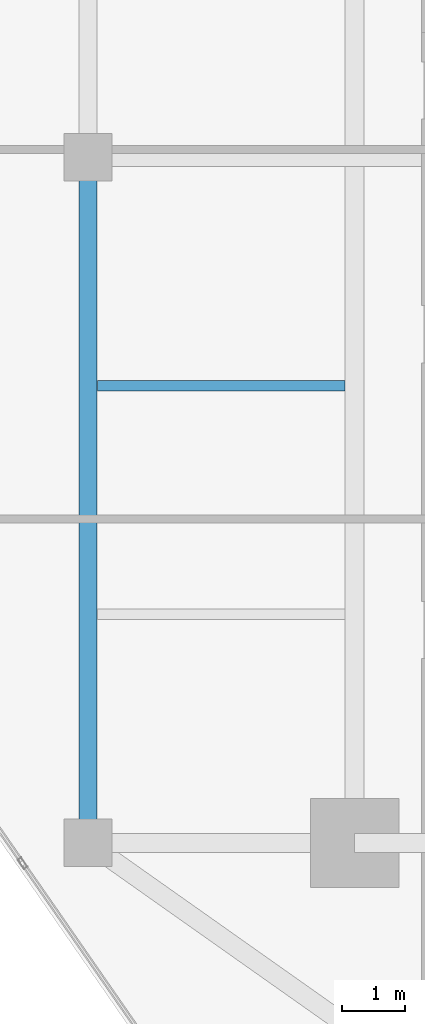
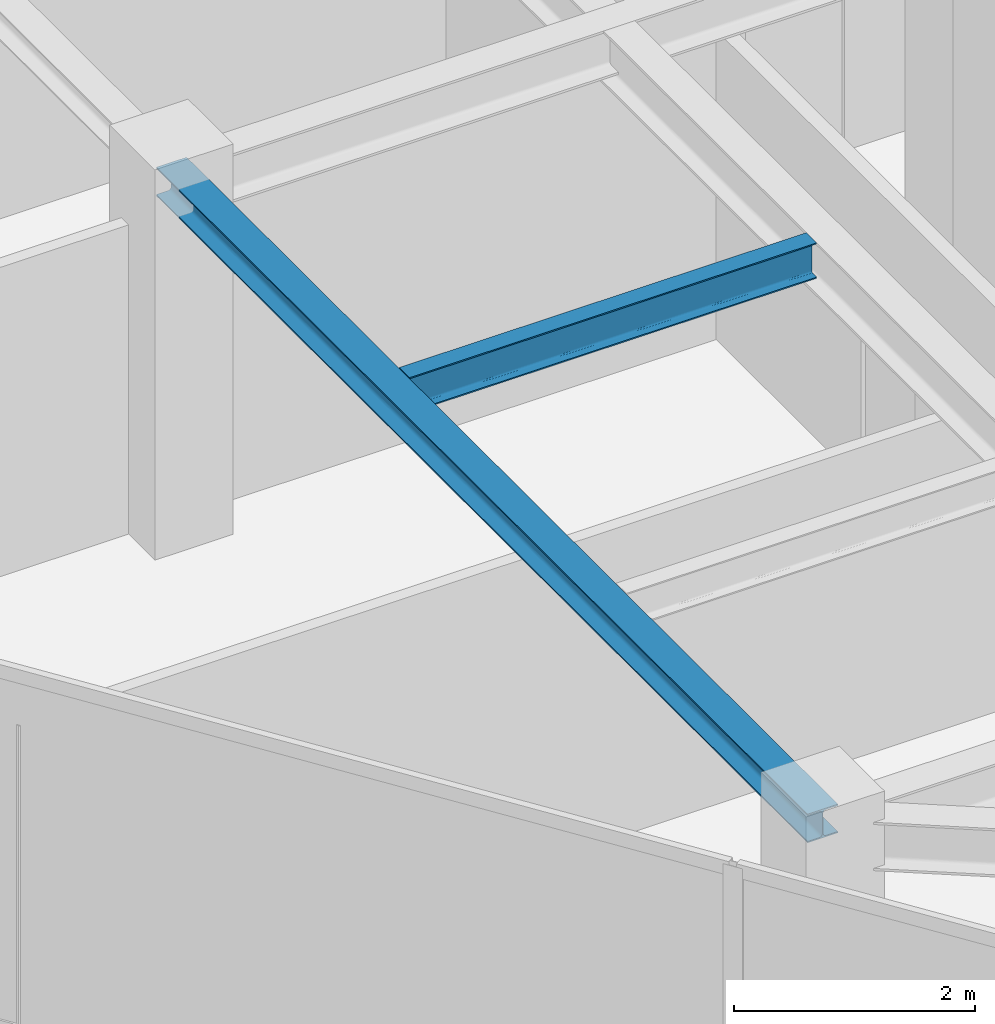
# One storey, part 5 of 21: 2 beams.
"""IFC4 building model written with IfcOpenShell, lengths in metres."""

from ifc_helpers import new_model, si_unit, direction, frame, origin, origin_2d, place, context, subcontext, project, spatial, i_section, extrude, source, transform, mapped, material, material_profile, profile_set, type_object, type_shapes, element, save


model = new_model("IFC4")

# Units and contexts
model_context = context("Model", 3, precision=1e-05, world=origin(), true_north=direction((0.0, 1.0)))
body_context = subcontext(model_context, "Body", "Model", "MODEL_VIEW")
ifc_project = project(units=[si_unit("LENGTHUNIT", "METRE"), si_unit("AREAUNIT", "SQUARE_METRE"), si_unit("VOLUMEUNIT", "CUBIC_METRE"), si_unit("PLANEANGLEUNIT", "RADIAN"), si_unit("MASSUNIT", "GRAM", prefix="KILO")], contexts=[model_context])

# Site, building, storey
site_placement = place(None, origin())
site = spatial("IfcSite", under=ifc_project, at=site_placement, CompositionType="ELEMENT")
building_placement = place(site_placement, origin())
building = spatial("IfcBuilding", under=site, at=building_placement, Name="Krantzveldt Concourse Tower", CompositionType="ELEMENT")
storey_placement = place(building_placement, frame((0.0, 0.0, 275.300048828125)))
storey = spatial("IfcBuildingStorey", under=building, at=storey_placement, Name="L67", CompositionType="ELEMENT", Elevation=275.300048828125)

# Beams
ifc_material = material(Name="Steel S355JR", Category="steel")
ifc_material_profile_1 = material_profile(ifc_material, i_section(OverallWidth=0.2900390625, OverallDepth=0.2900390625, WebThickness=0.008544921875, FlangeThickness=0.013916015625, FilletRadius=0.027099609375, at=origin_2d()), Name="Steel S355JR", Category="steel")
ifc_profile_set_1 = profile_set([ifc_material_profile_1], Name="Steel S355JR - HEA 300")
beam_type_1 = type_object("IfcBeamType", Name="BM-SP-HEA300", PredefinedType="SPANDREL", material=ifc_profile_set_1)
shared_shape_1 = source(origin(), body_context, "Body", "SweptSolid", [
    extrude(i_section(OverallWidth=0.2900390625, OverallDepth=0.2900390625, WebThickness=0.008544921875, FlangeThickness=0.013916015625, FilletRadius=0.027099609375, at=origin_2d()), origin(), (0.0, 0.0, 1.0), 10.800048828125),
])
type_shapes(beam_type_1, [shared_shape_1])
beam_1_placement = place(storey_placement, frame((21.0, 15.89990234375, 3.52490234375), z_axis=(0.0, 1.0, 0.0), x_axis=(-1.0, 0.0, 0.0)))
element("IfcBeam", 1, at=beam_1_placement, inside=storey, type_object=beam_type_1, Name="L67 Tower Girder SP-R01", PredefinedType="SPANDREL", context=body_context, shape_type="MappedRepresentation", body=[
    mapped(shared_shape_1, transform((0.0, 0.0, 0.0), x_axis=(1.0, 0.0, 0.0), y_axis=(0.0, 1.0, 0.0), z_axis=(0.0, 0.0, 1.0), scale=1.0)),
])
ifc_material_profile_2 = material_profile(ifc_material, i_section(OverallWidth=0.169921875, OverallDepth=0.360107421875, WebThickness=0.008056640625, FlangeThickness=0.0126953125, FilletRadius=0.01806640625, at=origin_2d()), Name="Steel S355JR", Category="steel")
ifc_profile_set_2 = profile_set([ifc_material_profile_2], Name="Steel S355JR - IPE 360")
beam_type_2 = type_object("IfcBeamType", Name="BM-J-IPE360", PredefinedType="JOIST", material=ifc_profile_set_2)
shared_shape_2 = source(origin(), body_context, "Body", "SweptSolid", [
    extrude(i_section(OverallWidth=0.169921875, OverallDepth=0.360107421875, WebThickness=0.008056640625, FlangeThickness=0.0126953125, FilletRadius=0.01806640625, at=origin_2d()), origin(), (0.0, 0.0, 1.0), 3.900146484375),
])
type_shapes(beam_type_2, [shared_shape_2])
beam_2_placement = place(storey_placement, frame((21.14990234375, 23.10009765625, 3.489990234375), z_axis=(1.0, 0.0, 0.0), x_axis=(0.0, 1.0, 0.0)))
element("IfcBeam", 2, at=beam_2_placement, inside=storey, type_object=beam_type_2, Name="L67 Secondary Floor Joist JW-2", PredefinedType="JOIST", context=body_context, shape_type="MappedRepresentation", body=[
    mapped(shared_shape_2, transform((0.0, 0.0, 0.0), x_axis=(1.0, 0.0, 0.0), y_axis=(0.0, 1.0, 0.0), z_axis=(0.0, 0.0, 1.0), scale=1.0)),
])

save(model, "model.ifc")
